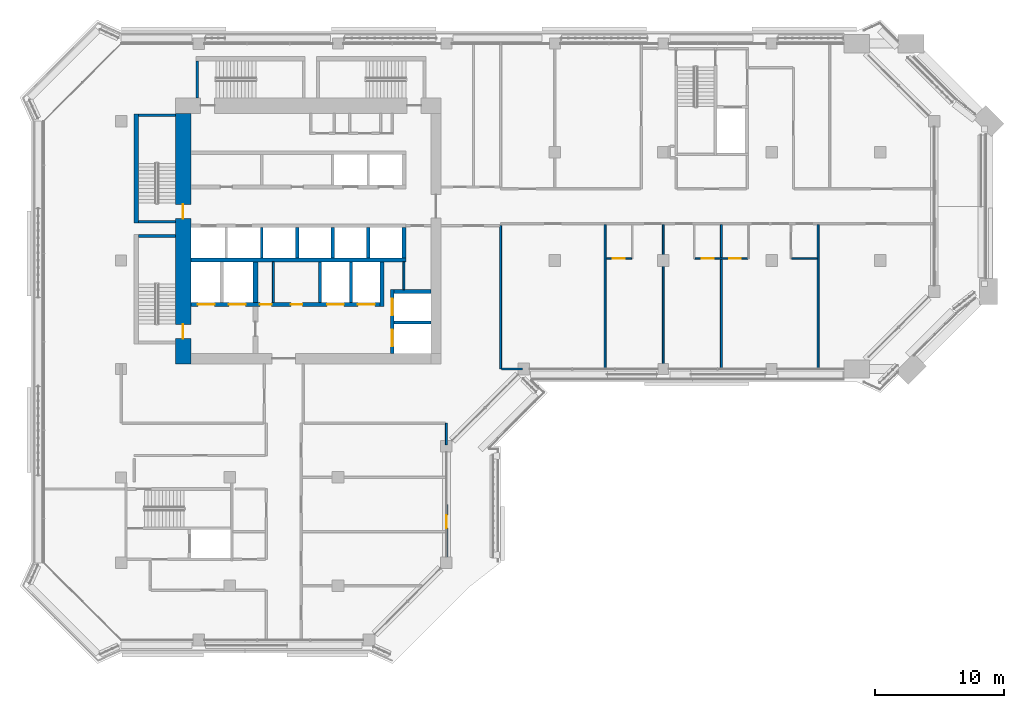
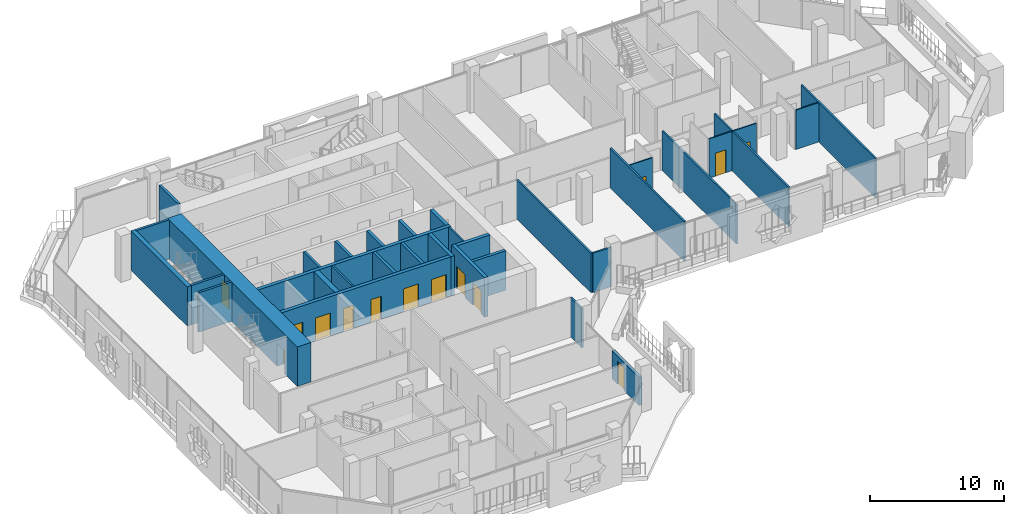
# One storey, part 11 of 21: 33 walls, 14 doors, 14 openings.
"""IFC4 building model written with IfcOpenShell, lengths in metres."""

from ifc_helpers import new_model, si_unit, direction, frame, frame_2d, origin, place, context, subcontext, project, spatial, rectangle, extrude, material, layer, layer_set, type_object, element, fill, save


model = new_model("IFC4")

# Units and contexts
model_context = context("Model", 3, precision=1e-05, world=origin(), true_north=direction((0.0, 1.0)))
body_context = subcontext(model_context, "Body", "Model", "MODEL_VIEW")
ifc_project = project(units=[si_unit("LENGTHUNIT", "METRE"), si_unit("AREAUNIT", "SQUARE_METRE"), si_unit("VOLUMEUNIT", "CUBIC_METRE"), si_unit("PLANEANGLEUNIT", "RADIAN"), si_unit("MASSUNIT", "GRAM", prefix="KILO")], contexts=[model_context])

# Site, building, storey
site_placement = place(None, origin())
site = spatial("IfcSite", under=ifc_project, at=site_placement, CompositionType="ELEMENT")
building_placement = place(site_placement, origin())
building = spatial("IfcBuilding", under=site, at=building_placement, Name="Kawkab Arch Medical Tower", CompositionType="ELEMENT")
storey_placement = place(building_placement, frame((0.0, 0.0, 234.800048828125)))
storey = spatial("IfcBuildingStorey", under=building, at=storey_placement, Name="L54", CompositionType="ELEMENT", Elevation=234.800048828125)

# Wall, openings, doors
ifc_material_1 = material(Name="Concrete C50/60", Category="concrete")
ifc_layer_1 = layer(ifc_material_1, 1.199951171875)
ifc_layer_set_1 = layer_set([ifc_layer_1], Name="Concrete C50/60")
wall_type_1 = type_object("IfcWallType", Name="Core ring wall 1200 C50/60", PredefinedType="SHEAR", material=ifc_layer_set_1)
wall_1_placement = place(storey_placement, frame((4.800048828125, -24.800048828125, 0.0), z_axis=(0.0, 0.0, 1.0), x_axis=(0.0, 1.0, 0.0)))
wall_1 = element("IfcWall", 1, at=wall_1_placement, inside=storey, type_object=wall_type_1, Name="L54 core wall", PredefinedType="SHEAR", context=body_context, shape_type="SweptSolid", body=[
    extrude(rectangle(XDim=19.400146484375, YDim=1.199951171875, at=frame_2d((9.7001953125, 0.0))), origin(), (0.0, 0.0, 1.0), 3.599853515625),
])
opening_1_placement = place(wall_1_placement, frame((11.25, 0.0, 0.0)))
opening_1 = element("IfcOpeningElement", 2, at=opening_1_placement, cuts=wall_1, Name="Opening SD", PredefinedType="OPENING", context=body_context, shape_type="SweptSolid", body=[
    extrude(rectangle(XDim=1.10009765625, YDim=2.10009765625, at=frame_2d((0.550048828125, 1.050048828125))), frame((0.0, 0.60986328125, 0.0), z_axis=(0.0, -1.0, 0.0), x_axis=(1.0, 0.0, 0.0)), (0.0, 0.0, 1.0), 1.219970703125),
])
opening_2_placement = place(wall_1_placement, frame((1.949951171875, 0.0, 0.0)))
opening_2 = element("IfcOpeningElement", 3, at=opening_2_placement, cuts=wall_1, Name="Opening SD", PredefinedType="OPENING", context=body_context, shape_type="SweptSolid", body=[
    extrude(rectangle(XDim=1.10009765625, YDim=2.10009765625, at=frame_2d((0.550048828125, 1.050048828125))), frame((0.0, 0.60986328125, 0.0), z_axis=(0.0, -1.0, 0.0), x_axis=(1.0, 0.0, 0.0)), (0.0, 0.0, 1.0), 1.219970703125),
])
ifc_material_2 = material(Name="Hollow metal fire door leaf")
door_type_1 = type_object("IfcDoorType", Name="Exit stair door 1100", OperationType="SINGLE_SWING_LEFT", PredefinedType="DOOR", material=ifc_material_2)
door_1_placement = place(opening_1_placement, origin())
door_1 = element("IfcDoor", 4, at=door_1_placement, inside=storey, type_object=door_type_1, Name="L54 Exit stair ST1 door", OperationType="SINGLE_SWING_LEFT", OverallHeight=2.10009765625, OverallWidth=1.10009765625, PredefinedType="DOOR", context=body_context, shape_type="SweptSolid", body=[
    extrude(rectangle(XDim=1.10009765625, YDim=2.10009765625, at=frame_2d((0.550048828125, 1.050048828125))), frame((0.0, 0.02490234375, 0.0), z_axis=(0.0, -1.0, 0.0), x_axis=(1.0, 0.0, 0.0)), (0.0, 0.0, 1.0), 0.050048828125),
])
fill(opening_1, door_1)
door_2_placement = place(opening_2_placement, origin())
door_2 = element("IfcDoor", 5, at=door_2_placement, inside=storey, type_object=door_type_1, Name="L54 Exit stair ST2 door", OperationType="SINGLE_SWING_LEFT", OverallHeight=2.10009765625, OverallWidth=1.10009765625, PredefinedType="DOOR", context=body_context, shape_type="SweptSolid", body=[
    extrude(rectangle(XDim=1.10009765625, YDim=2.10009765625, at=frame_2d((0.550048828125, 1.050048828125))), frame((0.0, 0.02490234375, 0.0), z_axis=(0.0, -1.0, 0.0), x_axis=(1.0, 0.0, 0.0)), (0.0, 0.0, 1.0), 0.050048828125),
])
fill(opening_2, door_2)

# Walls
ifc_material_3 = material(Name="Gypsum board on steel studs", Category="steel")
ifc_layer_2 = layer(ifc_material_3, 0.14990234375)
ifc_layer_set_2 = layer_set([ifc_layer_2], Name="Gypsum board on steel studs")
wall_type_2 = type_object("IfcWallType", Name="Core room partition 150", PredefinedType="PARTITIONING", material=ifc_layer_set_2)
wall_2_placement = place(storey_placement, frame((21.89990234375, -19.050048828125, 0.0), z_axis=(0.0, 0.0, 1.0), x_axis=(0.0, 1.0, 0.0)))
element("IfcWall", 6, at=wall_2_placement, inside=storey, type_object=wall_type_2, Name="L54 core room partition", PredefinedType="PARTITIONING", context=body_context, shape_type="SweptSolid", body=[
    extrude(rectangle(XDim=2.150146484375, YDim=0.14990234375, at=frame_2d((1.0751953125, 0.0))), origin(), (0.0, 0.0, 1.0), 3.599853515625),
])
wall_3_placement = place(storey_placement, frame((11.800048828125, -20.050048828125, 0.0), z_axis=(0.0, 0.0, 1.0), x_axis=(0.0, 1.0, 0.0)))
element("IfcWall", 7, at=wall_3_placement, inside=storey, type_object=wall_type_2, Name="L54 core room partition", PredefinedType="PARTITIONING", context=body_context, shape_type="SweptSolid", body=[
    extrude(rectangle(XDim=3.150146484375, YDim=0.14990234375, at=frame_2d((1.5751953125, 0.0))), origin(), (0.0, 0.0, 1.0), 3.599853515625),
])
ifc_material_4 = material(Name="Concrete C60/75", Category="concrete")
ifc_layer_3 = layer(ifc_material_4, 0.25)
ifc_layer_set_3 = layer_set([ifc_layer_3], Name="Concrete C60/75")
wall_type_3 = type_object("IfcWallType", Name="Core shear wall 250 C60/75", PredefinedType="SHEAR", material=ifc_layer_set_3)
wall_4_placement = place(storey_placement, frame((21.14990234375, -21.60009765625, 0.0), z_axis=(0.0, 0.0, 1.0), x_axis=(1.0, 0.0, 0.0)))
element("IfcWall", 8, at=wall_4_placement, inside=storey, type_object=wall_type_3, Name="L54 core shear wall", PredefinedType="SHEAR", context=body_context, shape_type="SweptSolid", body=[
    extrude(rectangle(XDim=2.85009765625, YDim=0.25, at=frame_2d((1.425048828125, 0.0))), origin(), (0.0, 0.0, 1.0), 3.599853515625),
])
for number, where, z_axis, x_axis, name in (
    (9, (15.39990234375, -20.050048828125, 0.0), (0.0, 0.0, 1.0), (0.0, 1.0, 0.0), "L54 core shear wall"),
    (10, (17.800048828125, -20.050048828125, 0.0), (0.0, 0.0, 1.0), (0.0, 1.0, 0.0), "L54 core shear wall"),
):
    element("IfcWall", number, at=place(storey_placement, frame(where, z_axis=z_axis, x_axis=x_axis)), inside=storey, type_object=wall_type_3, Name=name, PredefinedType="SHEAR", context=body_context, shape_type="SweptSolid", body=[
        extrude(rectangle(XDim=3.150146484375, YDim=0.25, at=frame_2d((1.5751953125, 0.0))), origin(), (0.0, 0.0, 1.0), 3.599853515625),
    ])
for number, where, z_axis, x_axis, name in (
    (11, (13.64990234375, -16.60009765625, 0.0), (0.0, 0.0, 1.0), (0.0, 1.0, 0.0), "L54 core shear wall"),
    (12, (16.39990234375, -16.60009765625, 0.0), (0.0, 0.0, 1.0), (0.0, 1.0, 0.0), "L54 core shear wall"),
    (13, (19.14990234375, -16.60009765625, 0.0), (0.0, 0.0, 1.0), (0.0, 1.0, 0.0), "L54 core shear wall"),
):
    element("IfcWall", number, at=place(storey_placement, frame(where, z_axis=z_axis, x_axis=x_axis)), inside=storey, type_object=wall_type_3, Name=name, PredefinedType="SHEAR", context=body_context, shape_type="SweptSolid", body=[
        extrude(rectangle(XDim=2.35009765625, YDim=0.25, at=frame_2d((1.175048828125, 0.0))), origin(), (0.0, 0.0, 1.0), 3.599853515625),
    ])
ifc_material_5 = material(Name="Concrete C60/75", Category="concrete")
ifc_layer_4 = layer(ifc_material_5, 0.300048828125)
ifc_layer_set_4 = layer_set([ifc_layer_4], Name="Concrete C60/75")
wall_type_4 = type_object("IfcWallType", Name="Core shear wall 300 C60/75", PredefinedType="SHEAR", material=ifc_layer_set_4)
wall_5_placement = place(storey_placement, frame((5.39990234375, -16.75, 0.0), z_axis=(0.0, 0.0, 1.0), x_axis=(1.0, 0.0, 0.0)))
element("IfcWall", 14, at=wall_5_placement, inside=storey, type_object=wall_type_4, Name="L54 core shear wall", PredefinedType="SHEAR", context=body_context, shape_type="SweptSolid", body=[
    extrude(rectangle(XDim=16.650146484375, YDim=0.300048828125, at=frame_2d((8.3251953125, 0.0))), origin(), (0.0, 0.0, 1.0), 3.599853515625),
])

# Wall, openings, doors
wall_6_placement = place(storey_placement, frame((5.39990234375, -20.199951171875, 0.0), z_axis=(0.0, 0.0, 1.0), x_axis=(1.0, 0.0, 0.0)))
wall_6 = element("IfcWall", 15, at=wall_6_placement, inside=storey, type_object=wall_type_4, Name="L54 core shear wall", PredefinedType="SHEAR", context=body_context, shape_type="SweptSolid", body=[
    extrude(rectangle(XDim=14.650146484375, YDim=0.300048828125, at=frame_2d((7.3251953125, 0.0))), origin(), (0.0, 0.0, 1.0), 3.599853515625),
])
opening_3_placement = place(wall_6_placement, frame((10.550048828125, 0.0, 0.0)))
opening_3 = element("IfcOpeningElement", 16, at=opening_3_placement, cuts=wall_6, Name="Opening LD2", PredefinedType="OPENING", context=body_context, shape_type="SweptSolid", body=[
    extrude(rectangle(XDim=1.300048828125, YDim=2.10009765625, at=frame_2d((0.64990234375, 1.050048828125))), frame((0.0, 0.159912109375, 0.0), z_axis=(0.0, -1.0, 0.0), x_axis=(1.0, 0.0, 0.0)), (0.0, 0.0, 1.0), 0.320068359375),
])
opening_4_placement = place(wall_6_placement, frame((12.949951171875, 0.0, 0.0)))
opening_4 = element("IfcOpeningElement", 17, at=opening_4_placement, cuts=wall_6, Name="Opening LD2", PredefinedType="OPENING", context=body_context, shape_type="SweptSolid", body=[
    extrude(rectangle(XDim=1.300048828125, YDim=2.10009765625, at=frame_2d((0.64990234375, 1.050048828125))), frame((0.0, 0.159912109375, 0.0), z_axis=(0.0, -1.0, 0.0), x_axis=(1.0, 0.0, 0.0)), (0.0, 0.0, 1.0), 0.320068359375),
])
opening_5_placement = place(wall_6_placement, frame((0.550048828125, 0.0, 0.0)))
opening_5 = element("IfcOpeningElement", 18, at=opening_5_placement, cuts=wall_6, Name="Opening LD2", PredefinedType="OPENING", context=body_context, shape_type="SweptSolid", body=[
    extrude(rectangle(XDim=1.300048828125, YDim=2.10009765625, at=frame_2d((0.64990234375, 1.050048828125))), frame((0.0, 0.159912109375, 0.0), z_axis=(0.0, -1.0, 0.0), x_axis=(1.0, 0.0, 0.0)), (0.0, 0.0, 1.0), 0.320068359375),
])
opening_6_placement = place(wall_6_placement, frame((2.949951171875, 0.0, 0.0)))
opening_6 = element("IfcOpeningElement", 19, at=opening_6_placement, cuts=wall_6, Name="Opening LD2", PredefinedType="OPENING", context=body_context, shape_type="SweptSolid", body=[
    extrude(rectangle(XDim=1.300048828125, YDim=2.10009765625, at=frame_2d((0.64990234375, 1.050048828125))), frame((0.0, 0.159912109375, 0.0), z_axis=(0.0, -1.0, 0.0), x_axis=(1.0, 0.0, 0.0)), (0.0, 0.0, 1.0), 0.320068359375),
])
opening_7_placement = place(wall_6_placement, frame((5.35009765625, 0.0, 0.0)))
opening_7 = element("IfcOpeningElement", 20, at=opening_7_placement, cuts=wall_6, Name="Opening RD", PredefinedType="OPENING", context=body_context, shape_type="SweptSolid", body=[
    extrude(rectangle(XDim=0.89990234375, YDim=2.10009765625, at=frame_2d((0.449951171875, 1.050048828125))), frame((0.0, 0.159912109375, 0.0), z_axis=(0.0, -1.0, 0.0), x_axis=(1.0, 0.0, 0.0)), (0.0, 0.0, 1.0), 0.320068359375),
])
opening_8_placement = place(wall_6_placement, frame((7.75, 0.0, 0.0)))
opening_8 = element("IfcOpeningElement", 21, at=opening_8_placement, cuts=wall_6, Name="Opening RD", PredefinedType="OPENING", context=body_context, shape_type="SweptSolid", body=[
    extrude(rectangle(XDim=0.89990234375, YDim=2.10009765625, at=frame_2d((0.449951171875, 1.050048828125))), frame((0.0, 0.159912109375, 0.0), z_axis=(0.0, -1.0, 0.0), x_axis=(1.0, 0.0, 0.0)), (0.0, 0.0, 1.0), 0.320068359375),
])
ifc_material_6 = material(Name="Hollow metal fire door leaf")
door_type_2 = type_object("IfcDoorType", Name="Core room door 900", OperationType="SINGLE_SWING_LEFT", PredefinedType="DOOR", material=ifc_material_6)
door_3_placement = place(opening_7_placement, origin())
door_3 = element("IfcDoor", 22, at=door_3_placement, inside=storey, type_object=door_type_2, Name="L54 Equipment store door", OperationType="SINGLE_SWING_LEFT", OverallHeight=2.10009765625, OverallWidth=0.89990234375, PredefinedType="DOOR", context=body_context, shape_type="SweptSolid", body=[
    extrude(rectangle(XDim=0.89990234375, YDim=2.10009765625, at=frame_2d((0.449951171875, 1.050048828125))), frame((0.0, 0.02490234375, 0.0), z_axis=(0.0, -1.0, 0.0), x_axis=(1.0, 0.0, 0.0)), (0.0, 0.0, 1.0), 0.050048828125),
])
fill(opening_7, door_3)
door_4_placement = place(opening_8_placement, origin())
door_4 = element("IfcDoor", 23, at=door_4_placement, inside=storey, type_object=door_type_2, Name="L54 Medication store door", OperationType="SINGLE_SWING_LEFT", OverallHeight=2.10009765625, OverallWidth=0.89990234375, PredefinedType="DOOR", context=body_context, shape_type="SweptSolid", body=[
    extrude(rectangle(XDim=0.89990234375, YDim=2.10009765625, at=frame_2d((0.449951171875, 1.050048828125))), frame((0.0, 0.02490234375, 0.0), z_axis=(0.0, -1.0, 0.0), x_axis=(1.0, 0.0, 0.0)), (0.0, 0.0, 1.0), 0.050048828125),
])
fill(opening_8, door_4)
ifc_material_7 = material(Name="Stainless steel lift door leaf", Category="steel")
door_type_3 = type_object("IfcDoorType", Name="Lift landing door 1300", OperationType="DOUBLE_DOOR_SLIDING", PredefinedType="DOOR", material=ifc_material_7)
door_5_placement = place(opening_3_placement, origin())
door_5 = element("IfcDoor", 24, at=door_5_placement, inside=storey, type_object=door_type_3, Name="L54 Lift landing door BD3", OperationType="DOUBLE_DOOR_SLIDING", OverallHeight=2.10009765625, OverallWidth=1.300048828125, PredefinedType="DOOR", context=body_context, shape_type="SweptSolid", body=[
    extrude(rectangle(XDim=1.300048828125, YDim=2.10009765625, at=frame_2d((0.64990234375, 1.050048828125))), frame((0.0, 0.02490234375, 0.0), z_axis=(0.0, -1.0, 0.0), x_axis=(1.0, 0.0, 0.0)), (0.0, 0.0, 1.0), 0.050048828125),
])
fill(opening_3, door_5)
door_6_placement = place(opening_4_placement, origin())
door_6 = element("IfcDoor", 25, at=door_6_placement, inside=storey, type_object=door_type_3, Name="L54 Lift landing door BD4", OperationType="DOUBLE_DOOR_SLIDING", OverallHeight=2.10009765625, OverallWidth=1.300048828125, PredefinedType="DOOR", context=body_context, shape_type="SweptSolid", body=[
    extrude(rectangle(XDim=1.300048828125, YDim=2.10009765625, at=frame_2d((0.64990234375, 1.050048828125))), frame((0.0, 0.02490234375, 0.0), z_axis=(0.0, -1.0, 0.0), x_axis=(1.0, 0.0, 0.0)), (0.0, 0.0, 1.0), 0.050048828125),
])
fill(opening_4, door_6)
door_7_placement = place(opening_5_placement, origin())
door_7 = element("IfcDoor", 26, at=door_7_placement, inside=storey, type_object=door_type_3, Name="L54 Lift landing door FL1", OperationType="DOUBLE_DOOR_SLIDING", OverallHeight=2.10009765625, OverallWidth=1.300048828125, PredefinedType="DOOR", context=body_context, shape_type="SweptSolid", body=[
    extrude(rectangle(XDim=1.300048828125, YDim=2.10009765625, at=frame_2d((0.64990234375, 1.050048828125))), frame((0.0, 0.02490234375, 0.0), z_axis=(0.0, -1.0, 0.0), x_axis=(1.0, 0.0, 0.0)), (0.0, 0.0, 1.0), 0.050048828125),
])
fill(opening_5, door_7)
door_8_placement = place(opening_6_placement, origin())
door_8 = element("IfcDoor", 27, at=door_8_placement, inside=storey, type_object=door_type_3, Name="L54 Lift landing door FL2", OperationType="DOUBLE_DOOR_SLIDING", OverallHeight=2.10009765625, OverallWidth=1.300048828125, PredefinedType="DOOR", context=body_context, shape_type="SweptSolid", body=[
    extrude(rectangle(XDim=1.300048828125, YDim=2.10009765625, at=frame_2d((0.64990234375, 1.050048828125))), frame((0.0, 0.02490234375, 0.0), z_axis=(0.0, -1.0, 0.0), x_axis=(1.0, 0.0, 0.0)), (0.0, 0.0, 1.0), 0.050048828125),
])
fill(opening_6, door_8)

# Walls
wall_7_placement = place(storey_placement, frame((20.199951171875, -20.35009765625, 0.0), z_axis=(0.0, 0.0, 1.0), x_axis=(0.0, 1.0, 0.0)))
element("IfcWall", 28, at=wall_7_placement, inside=storey, type_object=wall_type_4, Name="L54 core shear wall", PredefinedType="SHEAR", context=body_context, shape_type="SweptSolid", body=[
    extrude(rectangle(XDim=3.4501953125, YDim=0.300048828125, at=frame_2d((1.72509765625, 0.0))), origin(), (0.0, 0.0, 1.0), 3.599853515625),
])
wall_8_placement = place(storey_placement, frame((21.89990234375, -16.60009765625, 0.0), z_axis=(0.0, 0.0, 1.0), x_axis=(0.0, 1.0, 0.0)))
element("IfcWall", 29, at=wall_8_placement, inside=storey, type_object=wall_type_4, Name="L54 core shear wall", PredefinedType="SHEAR", context=body_context, shape_type="SweptSolid", body=[
    extrude(rectangle(XDim=2.35009765625, YDim=0.300048828125, at=frame_2d((1.175048828125, 0.0))), origin(), (0.0, 0.0, 1.0), 3.599853515625),
])
wall_9_placement = place(storey_placement, frame((21.14990234375, -19.199951171875, 0.0), z_axis=(0.0, 0.0, 1.0), x_axis=(1.0, 0.0, 0.0)))
element("IfcWall", 30, at=wall_9_placement, inside=storey, type_object=wall_type_4, Name="L54 core shear wall", PredefinedType="SHEAR", context=body_context, shape_type="SweptSolid", body=[
    extrude(rectangle(XDim=2.85009765625, YDim=0.300048828125, at=frame_2d((1.425048828125, 0.0))), origin(), (0.0, 0.0, 1.0), 3.599853515625),
])

# Wall, openings, doors
wall_10_placement = place(storey_placement, frame((21.0, -24.0, 0.0), z_axis=(0.0, 0.0, 1.0), x_axis=(0.0, 1.0, 0.0)))
wall_10 = element("IfcWall", 31, at=wall_10_placement, inside=storey, type_object=wall_type_4, Name="L54 core shear wall", PredefinedType="SHEAR", context=body_context, shape_type="SweptSolid", body=[
    extrude(rectangle(XDim=4.949951171875, YDim=0.300048828125, at=frame_2d((2.47509765625, 0.0))), origin(), (0.0, 0.0, 1.0), 3.599853515625),
])
opening_9_placement = place(wall_10_placement, frame((2.949951171875, 0.0, 0.0)))
opening_9 = element("IfcOpeningElement", 32, at=opening_9_placement, cuts=wall_10, Name="Opening LD2", PredefinedType="OPENING", context=body_context, shape_type="SweptSolid", body=[
    extrude(rectangle(XDim=1.300048828125, YDim=2.10009765625, at=frame_2d((0.64990234375, 1.050048828125))), frame((0.0, 0.159912109375, 0.0), z_axis=(0.0, -1.0, 0.0), x_axis=(1.0, 0.0, 0.0)), (0.0, 0.0, 1.0), 0.320068359375),
])
opening_10_placement = place(wall_10_placement, frame((0.550048828125, 0.0, 0.0)))
opening_10 = element("IfcOpeningElement", 33, at=opening_10_placement, cuts=wall_10, Name="Opening LD2", PredefinedType="OPENING", context=body_context, shape_type="SweptSolid", body=[
    extrude(rectangle(XDim=1.300048828125, YDim=2.10009765625, at=frame_2d((0.64990234375, 1.050048828125))), frame((0.0, 0.159912109375, 0.0), z_axis=(0.0, -1.0, 0.0), x_axis=(1.0, 0.0, 0.0)), (0.0, 0.0, 1.0), 0.320068359375),
])
door_9_placement = place(opening_9_placement, origin())
door_9 = element("IfcDoor", 34, at=door_9_placement, inside=storey, type_object=door_type_3, Name="L54 Lift landing door BD1", OperationType="DOUBLE_DOOR_SLIDING", OverallHeight=2.10009765625, OverallWidth=1.300048828125, PredefinedType="DOOR", context=body_context, shape_type="SweptSolid", body=[
    extrude(rectangle(XDim=1.300048828125, YDim=2.10009765625, at=frame_2d((0.64990234375, 1.050048828125))), frame((0.0, 0.02490234375, 0.0), z_axis=(0.0, -1.0, 0.0), x_axis=(1.0, 0.0, 0.0)), (0.0, 0.0, 1.0), 0.050048828125),
])
fill(opening_9, door_9)
door_10_placement = place(opening_10_placement, origin())
door_10 = element("IfcDoor", 35, at=door_10_placement, inside=storey, type_object=door_type_3, Name="L54 Lift landing door BD2", OperationType="DOUBLE_DOOR_SLIDING", OverallHeight=2.10009765625, OverallWidth=1.300048828125, PredefinedType="DOOR", context=body_context, shape_type="SweptSolid", body=[
    extrude(rectangle(XDim=1.300048828125, YDim=2.10009765625, at=frame_2d((0.64990234375, 1.050048828125))), frame((0.0, 0.02490234375, 0.0), z_axis=(0.0, -1.0, 0.0), x_axis=(1.0, 0.0, 0.0)), (0.0, 0.0, 1.0), 0.050048828125),
])
fill(opening_10, door_10)

# Wall
ifc_material_8 = material(Name="Concrete C60/75", Category="concrete")
ifc_layer_5 = layer(ifc_material_8, 0.39990234375)
ifc_layer_set_5 = layer_set([ifc_layer_5], Name="Concrete C60/75")
wall_type_5 = type_object("IfcWallType", Name="Core shear wall 400 C60/75", PredefinedType="SHEAR", material=ifc_layer_set_5)
wall_11_placement = place(storey_placement, frame((10.39990234375, -20.050048828125, 0.0), z_axis=(0.0, 0.0, 1.0), x_axis=(0.0, 1.0, 0.0)))
element("IfcWall", 36, at=wall_11_placement, inside=storey, type_object=wall_type_5, Name="L54 core shear wall", PredefinedType="SHEAR", context=body_context, shape_type="SweptSolid", body=[
    extrude(rectangle(XDim=3.150146484375, YDim=0.39990234375, at=frame_2d((1.5751953125, 0.0))), origin(), (0.0, 0.0, 1.0), 3.599853515625),
])

# Wall, opening, door
ifc_material_9 = material(Name="Bronze clad insulated wall panel")
ifc_layer_6 = layer(ifc_material_9, 0.25)
ifc_layer_set_6 = layer_set([ifc_layer_6], Name="Bronze clad insulated wall panel")
wall_type_6 = type_object("IfcWallType", Name="External wall bay 250", PredefinedType="SOLIDWALL", material=ifc_layer_set_6)
wall_12_placement = place(storey_placement, frame((25.199951171875, -39.75, 0.0), z_axis=(0.0, 0.0, 1.0), x_axis=(0.0, 1.0, 0.0)))
wall_12 = element("IfcWall", 37, at=wall_12_placement, inside=storey, type_object=wall_type_6, Name="External wall bay L54.R05.1.1", PredefinedType="SOLIDWALL", context=body_context, shape_type="SweptSolid", body=[
    extrude(rectangle(XDim=4.050048828125, YDim=0.25, at=frame_2d((2.02490234375, 0.0))), origin(), (0.0, 0.0, 1.0), 2.579833984375),
])
opening_11_placement = place(wall_12_placement, frame((2.22509765625, 0.0, 0.0)))
opening_11 = element("IfcOpeningElement", 38, at=opening_11_placement, cuts=wall_12, Name="Opening W54-701", PredefinedType="OPENING", context=body_context, shape_type="SweptSolid", body=[
    extrude(rectangle(XDim=1.0, YDim=2.10009765625, at=frame_2d((0.5, 1.050048828125))), frame((0.0, 0.135009765625, 0.0), z_axis=(0.0, -1.0, 0.0), x_axis=(1.0, 0.0, 0.0)), (0.0, 0.0, 1.0), 0.27001953125),
])
ifc_material_10 = material(Name="Bronze anodised aluminium door with tinted glass", Category="aluminium")
door_type_4 = type_object("IfcDoorType", Name="Single external door 1000 x 2100", OperationType="SINGLE_SWING_LEFT", PredefinedType="DOOR", material=ifc_material_10)
door_11_placement = place(opening_11_placement, origin())
door_11 = element("IfcDoor", 39, at=door_11_placement, inside=storey, type_object=door_type_4, Name="External door L54.R05.1.1", OperationType="SINGLE_SWING_LEFT", OverallHeight=2.10009765625, OverallWidth=1.0, PredefinedType="DOOR", context=body_context, shape_type="SweptSolid", body=[
    extrude(rectangle(XDim=1.0, YDim=2.10009765625, at=frame_2d((0.5, 1.050048828125))), frame((0.0, 0.02490234375, 0.0), z_axis=(0.0, -1.0, 0.0), x_axis=(1.0, 0.0, 0.0)), (0.0, 0.0, 1.0), 0.050048828125),
])
fill(opening_11, door_11)

# Wall
ifc_material_11 = material(Name="Dense concrete blockwork", Category="masonry")
ifc_layer_7 = layer(ifc_material_11, 0.199951171875)
ifc_layer_set_7 = layer_set([ifc_layer_7], Name="Dense concrete blockwork")
wall_type_7 = type_object("IfcWallType", Name="Lift shaft partition 200", PredefinedType="PARTITIONING", material=ifc_layer_set_7)
wall_13_placement = place(storey_placement, frame((10.89990234375, -16.60009765625, 0.0), z_axis=(0.0, 0.0, 1.0), x_axis=(0.0, 1.0, 0.0)))
element("IfcWall", 40, at=wall_13_placement, inside=storey, type_object=wall_type_7, Name="L54 lift shaft partition", PredefinedType="PARTITIONING", context=body_context, shape_type="SweptSolid", body=[
    extrude(rectangle(XDim=2.35009765625, YDim=0.199951171875, at=frame_2d((1.175048828125, 0.0))), origin(), (0.0, 0.0, 1.0), 3.599853515625),
])

# Wall, opening, door
ifc_material_12 = material(Name="Gypsum board partition on steel studs", Category="steel")
ifc_layer_8 = layer(ifc_material_12, 0.10009765625)
ifc_layer_set_8 = layer_set([ifc_layer_8], Name="Gypsum board partition on steel studs")
wall_type_8 = type_object("IfcWallType", Name="Partition 100", PredefinedType="PARTITIONING", material=ifc_layer_set_8)
wall_14_placement = place(storey_placement, frame((37.574951171875, -16.64990234375, 0.0), z_axis=(0.0, 0.0, 1.0), x_axis=(1.0, 0.0, 0.0)))
wall_14 = element("IfcWall", 41, at=wall_14_placement, inside=storey, type_object=wall_type_8, Name="Partition 100 w001", PredefinedType="PARTITIONING", context=body_context, shape_type="SweptSolid", body=[
    extrude(rectangle(XDim=1.97509765625, YDim=0.10009765625, at=frame_2d((0.987548828125, 0.0))), origin(), (0.0, 0.0, 1.0), 3.599853515625),
])
opening_12_placement = place(wall_14_placement, frame((0.52490234375, 0.0, 0.0)))
opening_12 = element("IfcOpeningElement", 42, at=opening_12_placement, cuts=wall_14, Name="Opening W54-004", PredefinedType="OPENING", context=body_context, shape_type="SweptSolid", body=[
    extrude(rectangle(XDim=0.89990234375, YDim=2.10009765625, at=frame_2d((0.449951171875, 1.050048828125))), frame((0.0, 0.06005859375, 0.0), z_axis=(0.0, -1.0, 0.0), x_axis=(1.0, 0.0, 0.0)), (0.0, 0.0, 1.0), 0.1201171875),
])
ifc_material_13 = material(Name="Timber door leaf", Category="wood")
door_type_5 = type_object("IfcDoorType", Name="Single door 900x2100", OperationType="NOTDEFINED", PredefinedType="DOOR", material=ifc_material_13)
door_12_placement = place(opening_12_placement, origin())
door_12 = element("IfcDoor", 43, at=door_12_placement, inside=storey, type_object=door_type_5, Name="Door W54-004", OperationType="SINGLE_SWING_RIGHT", OverallHeight=2.10009765625, OverallWidth=0.89990234375, PredefinedType="DOOR", context=body_context, shape_type="SweptSolid", body=[
    extrude(rectangle(XDim=0.89990234375, YDim=2.10009765625, at=frame_2d((0.449951171875, 1.050048828125))), frame((0.0, 0.02490234375, 0.0), z_axis=(0.0, -1.0, 0.0), x_axis=(1.0, 0.0, 0.0)), (0.0, 0.0, 1.0), 0.050048828125),
])
fill(opening_12, door_12)

# Wall, openings, doors
wall_15_placement = place(storey_placement, frame((44.449951171875, -16.64990234375, 0.0), z_axis=(0.0, 0.0, 1.0), x_axis=(1.0, 0.0, 0.0)))
wall_15 = element("IfcWall", 44, at=wall_15_placement, inside=storey, type_object=wall_type_8, Name="Partition 100 w002", PredefinedType="PARTITIONING", context=body_context, shape_type="SweptSolid", body=[
    extrude(rectangle(XDim=4.10009765625, YDim=0.10009765625, at=frame_2d((2.050048828125, 0.0))), origin(), (0.0, 0.0, 1.0), 3.599853515625),
])
opening_13_placement = place(wall_15_placement, frame((0.550048828125, 0.0, 0.0)))
opening_13 = element("IfcOpeningElement", 45, at=opening_13_placement, cuts=wall_15, Name="Opening W54-005", PredefinedType="OPENING", context=body_context, shape_type="SweptSolid", body=[
    extrude(rectangle(XDim=0.89990234375, YDim=2.10009765625, at=frame_2d((0.449951171875, 1.050048828125))), frame((0.0, 0.06005859375, 0.0), z_axis=(0.0, -1.0, 0.0), x_axis=(1.0, 0.0, 0.0)), (0.0, 0.0, 1.0), 0.1201171875),
])
opening_14_placement = place(wall_15_placement, frame((2.64990234375, 0.0, 0.0)))
opening_14 = element("IfcOpeningElement", 46, at=opening_14_placement, cuts=wall_15, Name="Opening W54-006", PredefinedType="OPENING", context=body_context, shape_type="SweptSolid", body=[
    extrude(rectangle(XDim=0.89990234375, YDim=2.10009765625, at=frame_2d((0.449951171875, 1.050048828125))), frame((0.0, 0.06005859375, 0.0), z_axis=(0.0, -1.0, 0.0), x_axis=(1.0, 0.0, 0.0)), (0.0, 0.0, 1.0), 0.1201171875),
])
door_13_placement = place(opening_13_placement, origin())
door_13 = element("IfcDoor", 47, at=door_13_placement, inside=storey, type_object=door_type_5, Name="Door W54-005", OperationType="SINGLE_SWING_RIGHT", OverallHeight=2.10009765625, OverallWidth=0.89990234375, PredefinedType="DOOR", context=body_context, shape_type="SweptSolid", body=[
    extrude(rectangle(XDim=0.89990234375, YDim=2.10009765625, at=frame_2d((0.449951171875, 1.050048828125))), frame((0.0, 0.02490234375, 0.0), z_axis=(0.0, -1.0, 0.0), x_axis=(1.0, 0.0, 0.0)), (0.0, 0.0, 1.0), 0.050048828125),
])
fill(opening_13, door_13)
door_14_placement = place(opening_14_placement, origin())
door_14 = element("IfcDoor", 48, at=door_14_placement, inside=storey, type_object=door_type_5, Name="Door W54-006", OperationType="SINGLE_SWING_LEFT", OverallHeight=2.10009765625, OverallWidth=0.89990234375, PredefinedType="DOOR", context=body_context, shape_type="SweptSolid", body=[
    extrude(rectangle(XDim=0.89990234375, YDim=2.10009765625, at=frame_2d((0.449951171875, 1.050048828125))), frame((0.0, 0.02490234375, 0.0), z_axis=(0.0, -1.0, 0.0), x_axis=(1.0, 0.0, 0.0)), (0.0, 0.0, 1.0), 0.050048828125),
])
fill(opening_14, door_14)

# Walls
wall_16_placement = place(storey_placement, frame((51.949951171875, -16.64990234375, 0.0), z_axis=(0.0, 0.0, 1.0), x_axis=(1.0, 0.0, 0.0)))
element("IfcWall", 49, at=wall_16_placement, inside=storey, type_object=wall_type_8, Name="Partition 100 w003", PredefinedType="PARTITIONING", context=body_context, shape_type="SweptSolid", body=[
    extrude(rectangle(XDim=1.97509765625, YDim=0.10009765625, at=frame_2d((0.987548828125, 0.0))), origin(), (0.0, 0.0, 1.0), 3.599853515625),
])
ifc_material_14 = material(Name="Gypsum board partition on steel studs, mineral wool", Category="steel")
ifc_layer_9 = layer(ifc_material_14, 0.14990234375)
ifc_layer_set_9 = layer_set([ifc_layer_9], Name="Gypsum board partition on steel studs, mineral wool")
wall_type_9 = type_object("IfcWallType", Name="Partition 150", PredefinedType="PARTITIONING", material=ifc_layer_set_9)
wall_17_placement = place(storey_placement, frame((29.47509765625, -25.199951171875, 0.0), z_axis=(0.0, 0.0, 1.0), x_axis=(1.0, 0.0, 0.0)))
element("IfcWall", 50, at=wall_17_placement, inside=storey, type_object=wall_type_9, Name="Partition 150 w019", PredefinedType="PARTITIONING", context=body_context, shape_type="SweptSolid", body=[
    extrude(rectangle(XDim=1.61181640625, YDim=0.14990234375, at=frame_2d((0.805908203125, 0.0))), origin(), (0.0, 0.0, 1.0), 3.599853515625),
])
wall_18_placement = place(storey_placement, frame((25.199951171875, -31.0869140625, 0.0), z_axis=(0.0, 0.0, 1.0), x_axis=(0.0, 1.0, 0.0)))
element("IfcWall", 51, at=wall_18_placement, inside=storey, type_object=wall_type_9, Name="Partition 150 w042", PredefinedType="PARTITIONING", context=body_context, shape_type="SweptSolid", body=[
    extrude(rectangle(XDim=1.68701171875, YDim=0.14990234375, at=frame_2d((0.843505859375, 0.0))), origin(), (0.0, 0.0, 1.0), 3.599853515625),
])
wall_19_placement = place(storey_placement, frame((29.39990234375, -25.199951171875, 0.0), z_axis=(0.0, 0.0, 1.0), x_axis=(0.0, 1.0, 0.0)))
element("IfcWall", 52, at=wall_19_placement, inside=storey, type_object=wall_type_9, Name="Partition 150 w044", PredefinedType="PARTITIONING", context=body_context, shape_type="SweptSolid", body=[
    extrude(rectangle(XDim=11.099853515625, YDim=0.14990234375, at=frame_2d((5.5498046875, 0.0))), origin(), (0.0, 0.0, 1.0), 3.599853515625),
])
for number, where, z_axis, x_axis, name in (
    (53, (37.5, -25.1201171875, 0.0), (0.0, 0.0, 1.0), (0.0, 1.0, 0.0), "Partition 150 w047"),
    (54, (42.0, -25.1201171875, 0.0), (0.0, 0.0, 1.0), (0.0, 1.0, 0.0), "Partition 150 w049"),
    (55, (46.5, -25.1201171875, 0.0), (0.0, 0.0, 1.0), (0.0, 1.0, 0.0), "Partition 150 w052"),
    (56, (54.0, -25.1201171875, 0.0), (0.0, 0.0, 1.0), (0.0, 1.0, 0.0), "Partition 150 w055"),
):
    element("IfcWall", number, at=place(storey_placement, frame(where, z_axis=z_axis, x_axis=x_axis)), inside=storey, type_object=wall_type_9, Name=name, PredefinedType="PARTITIONING", context=body_context, shape_type="SweptSolid", body=[
        extrude(rectangle(XDim=11.09521484375, YDim=0.14990234375, at=frame_2d((5.547607421875, 0.0))), origin(), (0.0, 0.0, 1.0), 3.599853515625),
    ])
ifc_material_15 = material(Name="Concrete C50/60", Category="concrete")
ifc_layer_10 = layer(ifc_material_15, 0.199951171875)
ifc_layer_set_10 = layer_set([ifc_layer_10], Name="Concrete C50/60")
wall_type_10 = type_object("IfcWallType", Name="Stair enclosure wall 200 C50/60", PredefinedType="SHEAR", material=ifc_layer_set_10)
for number, where, z_axis, x_axis, name in (
    (57, (1.35009765625, -5.550048828125, 0.0), (0.0, 0.0, 1.0), (1.0, 0.0, 0.0), "L54 stair enclosure wall"),
    (58, (1.35009765625, -13.800048828125, 0.0), (0.0, 0.0, 1.0), (1.0, 0.0, 0.0), "L54 stair enclosure wall"),
    (59, (1.35009765625, -14.89990234375, 0.0), (0.0, 0.0, 1.0), (1.0, 0.0, 0.0), "L54 stair enclosure wall"),
    (60, (5.89990234375, -4.199951171875, 0.0), (0.0, 0.0, 1.0), (0.0, 1.0, 0.0), "L54 stair enclosure wall"),
):
    element("IfcWall", number, at=place(storey_placement, frame(where, z_axis=z_axis, x_axis=x_axis)), inside=storey, type_object=wall_type_10, Name=name, PredefinedType="SHEAR", context=body_context, shape_type="SweptSolid", body=[
        extrude(rectangle(XDim=2.849853515625, YDim=0.199951171875, at=frame_2d((1.4248046875, 0.0))), origin(), (0.0, 0.0, 1.0), 3.599853515625),
    ])
ifc_material_16 = material(Name="Concrete C50/60", Category="concrete")
ifc_layer_11 = layer(ifc_material_16, 0.35009765625)
ifc_layer_set_11 = layer_set([ifc_layer_11], Name="Concrete C50/60")
wall_type_11 = type_object("IfcWallType", Name="Stair enclosure wall 350 C50/60", PredefinedType="SHEAR", material=ifc_layer_set_11)
wall_20_placement = place(storey_placement, frame((1.175048828125, -13.89990234375, 0.0), z_axis=(0.0, 0.0, 1.0), x_axis=(0.0, 1.0, 0.0)))
element("IfcWall", 61, at=wall_20_placement, inside=storey, type_object=wall_type_11, Name="L54 stair enclosure wall", PredefinedType="SHEAR", context=body_context, shape_type="SweptSolid", body=[
    extrude(rectangle(XDim=8.449951171875, YDim=0.35009765625, at=frame_2d((4.22509765625, 0.0))), origin(), (0.0, 0.0, 1.0), 3.599853515625),
])

save(model, "model.ifc")
